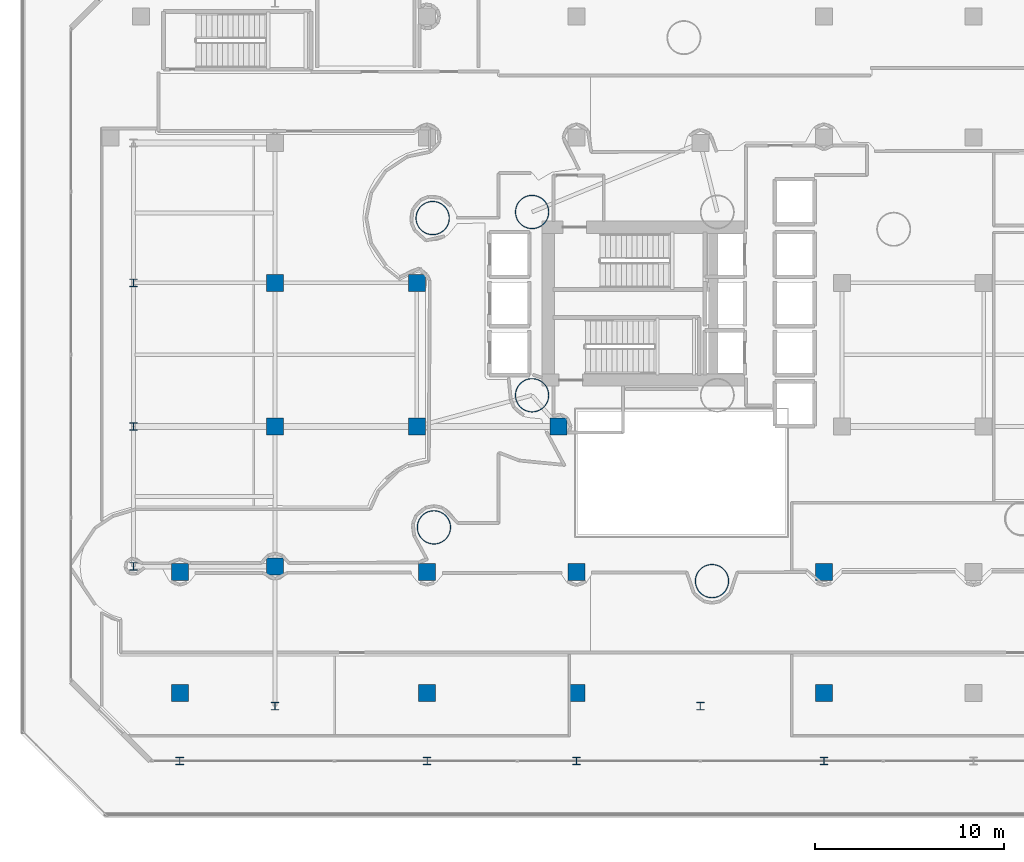
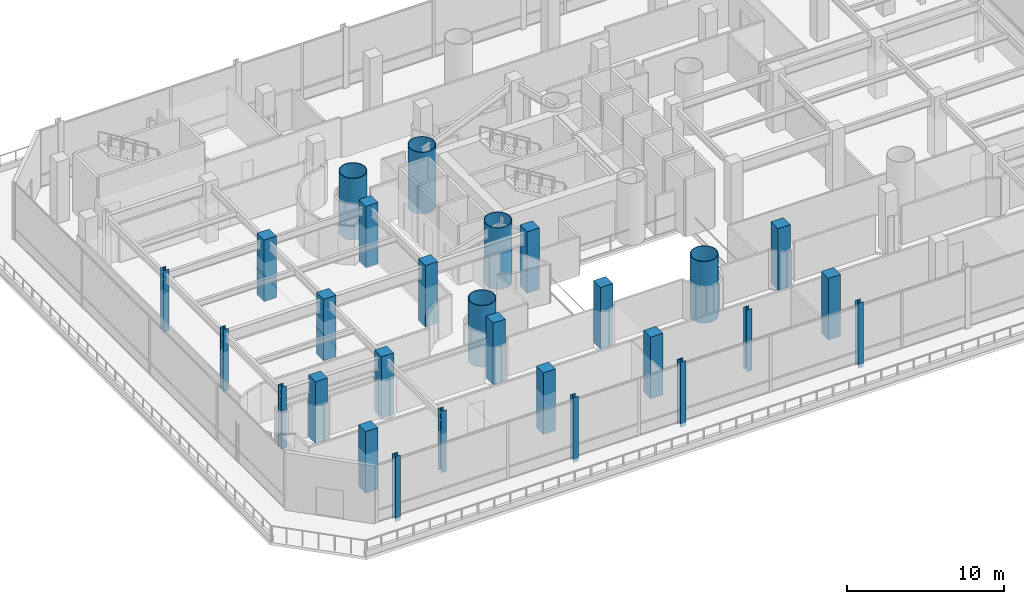
# One storey, part 1 of 39: 28 columns.
"""IFC4 building model written with IfcOpenShell, lengths in metres."""

from ifc_helpers import new_model, si_unit, direction, frame, origin, origin_2d, place, context, subcontext, project, spatial, rectangle, hollow_circle, i_section, extrude, material, material_profile, profile_set, type_object, element, save


model = new_model("IFC4")

# Units and contexts
model_context = context("Model", 3, precision=1e-05, world=origin(), true_north=direction((0.0, 1.0)))
body_context = subcontext(model_context, "Body", "Model", "MODEL_VIEW")
ifc_project = project(units=[si_unit("LENGTHUNIT", "METRE"), si_unit("AREAUNIT", "SQUARE_METRE"), si_unit("VOLUMEUNIT", "CUBIC_METRE"), si_unit("PLANEANGLEUNIT", "RADIAN"), si_unit("MASSUNIT", "GRAM", prefix="KILO")], contexts=[model_context])

# Site, building, storey
site_placement = place(None, origin())
site = spatial("IfcSite", under=ifc_project, at=site_placement, CompositionType="ELEMENT")
building_placement = place(site_placement, origin())
building = spatial("IfcBuilding", under=site, at=building_placement, Name="Qianvela Tower", CompositionType="ELEMENT")
storey_placement = place(building_placement, frame((0.0, 0.0, 15.800048828125)))
storey = spatial("IfcBuildingStorey", under=building, at=storey_placement, Name="L03", CompositionType="ELEMENT", Elevation=15.800048828125)

# Columns
ifc_material_1 = material(Name="Steel Q420GJC", Category="steel")
ifc_material_profile_1 = material_profile(ifc_material_1, hollow_circle(Radius=0.89990234375, WallThickness=0.044921875, at=origin_2d()), Name="CFT-1800x45")
ifc_profile_set_1 = profile_set([ifc_material_profile_1], Name="Steel Q420GJC")
column_type_1 = type_object("IfcColumnType", Name="COL-CFT-1800x45", PredefinedType="COLUMN", material=ifc_profile_set_1)
for number, where, z_axis, x_axis, name in (
    (1, (28.60009765625, 33.550048828125, 0.0), (0.0, 0.0, 1.0), (1.0, 0.0, 0.0), "L03 Core Corner Mega-Column CC-NW"),
    (2, (28.60009765625, 23.85009765625, 0.0), (0.0, 0.0, 1.0), (1.0, 0.0, 0.0), "L03 Core Corner Mega-Column CC-SW"),
    (3, (23.337890625, 33.22802734375, 0.0), (0.0, 0.0, 1.0), (1.0, 0.0, 0.0), "L03 Tower Base CFT Mega-Column C4"),
    (4, (23.404052734375, 16.860107421875, 0.0), (0.0, 0.0, 1.0), (1.0, 0.0, 0.0), "L03 Tower Base CFT Mega-Column C5"),
    (5, (38.1201171875, 14.01611328125, 0.0), (0.0, 0.0, 1.0), (1.0, 0.0, 0.0), "L03 Tower Base CFT Mega-Column C6"),
):
    element("IfcColumn", number, at=place(storey_placement, frame(where, z_axis=z_axis, x_axis=x_axis)), inside=storey, type_object=column_type_1, Name=name, PredefinedType="COLUMN", context=body_context, shape_type="SweptSolid", body=[
        extrude(hollow_circle(Radius=0.89990234375, WallThickness=0.044921875, at=origin_2d()), origin(), (0.0, 0.0, 1.0), 4.800048828125),
    ])
ifc_material_2 = material(Name="Steel Q355B", Category="steel")
ifc_material_profile_2 = material_profile(ifc_material_2, i_section(OverallWidth=0.39990234375, OverallDepth=0.39990234375, WebThickness=0.012939453125, FlangeThickness=0.02099609375, at=origin_2d()), Name="HW400x400x13x21")
ifc_profile_set_2 = profile_set([ifc_material_profile_2], Name="Steel Q355B")
column_type_2 = type_object("IfcColumnType", Name="COL-HW-400", PredefinedType="COLUMN", material=ifc_profile_set_2)
for number, where, z_axis, x_axis, name in (
    (6, (7.5, 14.800048828125, 0.0), (0.0, 0.0, 1.0), (1.0, 0.0, 0.0), "L03 Podium Grid Column P01"),
    (7, (7.5, 22.199951171875, 0.0), (0.0, 0.0, 1.0), (1.0, 0.0, 0.0), "L03 Podium Grid Column P02"),
    (8, (7.5, 29.800048828125, 0.0), (0.0, 0.0, 1.0), (1.0, 0.0, 0.0), "L03 Podium Grid Column P03"),
    (9, (15.0, 7.39990234375, 0.0), (0.0, 0.0, 1.0), (1.0, 0.0, 0.0), "L03 Podium Grid Column P05"),
    (10, (37.5, 7.39990234375, 0.0), (0.0, 0.0, 1.0), (1.0, 0.0, 0.0), "L03 Podium Grid Column P22"),
):
    element("IfcColumn", number, at=place(storey_placement, frame(where, z_axis=z_axis, x_axis=x_axis)), inside=storey, type_object=column_type_2, Name=name, PredefinedType="COLUMN", context=body_context, shape_type="SweptSolid", body=[
        extrude(i_section(OverallWidth=0.39990234375, OverallDepth=0.39990234375, WebThickness=0.012939453125, FlangeThickness=0.02099609375, at=origin_2d()), origin(), (0.0, 0.0, 1.0), 4.800048828125),
    ])
for number, where, z_axis, x_axis, name in (
    (11, (9.955322265625, 4.5, -0.27001953125), (0.0, 0.0, 1.0), (1.0, 0.0, 0.0), "L03 V-Column Transfer Post VC-S1-L"),
    (12, (23.044677734375, 4.5, -0.27001953125), (0.0, 0.0, 1.0), (1.0, 0.0, 0.0), "L03 V-Column Transfer Post VC-S1-R"),
    (13, (30.955322265625, 4.5, -0.27001953125), (0.0, 0.0, 1.0), (1.0, 0.0, 0.0), "L03 V-Column Transfer Post VC-S2-L"),
    (14, (44.044677734375, 4.5, -0.27001953125), (0.0, 0.0, 1.0), (1.0, 0.0, 0.0), "L03 V-Column Transfer Post VC-S2-R"),
):
    element("IfcColumn", number, at=place(storey_placement, frame(where, z_axis=z_axis, x_axis=x_axis)), inside=storey, type_object=column_type_2, Name=name, PredefinedType="COLUMN", context=body_context, shape_type="SweptSolid", body=[
        extrude(i_section(OverallWidth=0.39990234375, OverallDepth=0.39990234375, WebThickness=0.012939453125, FlangeThickness=0.02099609375, at=origin_2d()), origin(), (0.0, 0.0, 1.0), 5.070068359375),
    ])
ifc_material_3 = material(Name="Concrete C60", Category="concrete")
ifc_material_profile_3 = material_profile(ifc_material_3, rectangle(XDim=0.89990234375, YDim=0.89990234375, at=origin_2d()), Name="RC-COL-900x900")
ifc_profile_set_3 = profile_set([ifc_material_profile_3], Name="Concrete C60")
column_type_3 = type_object("IfcColumnType", Name="COL-RC-900", PredefinedType="COLUMN", material=ifc_profile_set_3)
for number, where, z_axis, x_axis, name in (
    (15, (9.955322265625, 8.10009765625, 0.0), (0.0, 0.0, 1.0), (1.0, 0.0, 0.0), "L03 Concourse Colonnade Column VC-S1-L-B1"),
    (16, (9.955322265625, 14.5, 0.0), (0.0, 0.0, 1.0), (1.0, 0.0, 0.0), "L03 Concourse Colonnade Column VC-S1-L-B2"),
    (17, (23.044677734375, 8.10009765625, 0.0), (0.0, 0.0, 1.0), (1.0, 0.0, 0.0), "L03 Concourse Colonnade Column VC-S1-R-B1"),
    (18, (23.044677734375, 14.5, 0.0), (0.0, 0.0, 1.0), (1.0, 0.0, 0.0), "L03 Concourse Colonnade Column VC-S1-R-B2"),
    (19, (30.955322265625, 8.10009765625, 0.0), (0.0, 0.0, 1.0), (1.0, 0.0, 0.0), "L03 Concourse Colonnade Column VC-S2-L-B1"),
    (20, (30.955322265625, 14.5, 0.0), (0.0, 0.0, 1.0), (1.0, 0.0, 0.0), "L03 Concourse Colonnade Column VC-S2-L-B2"),
    (21, (44.044677734375, 8.10009765625, 0.0), (0.0, 0.0, 1.0), (1.0, 0.0, 0.0), "L03 Concourse Colonnade Column VC-S2-R-B1"),
    (22, (44.044677734375, 14.5, 0.0), (0.0, 0.0, 1.0), (1.0, 0.0, 0.0), "L03 Concourse Colonnade Column VC-S2-R-B2"),
    (23, (15.0, 14.800048828125, 0.0), (0.0, 0.0, 1.0), (1.0, 0.0, 0.0), "L03 Podium Grid Column P06"),
    (24, (15.0, 22.199951171875, 0.0), (0.0, 0.0, 1.0), (1.0, 0.0, 0.0), "L03 Podium Grid Column P07"),
    (25, (15.0, 29.800048828125, 0.0), (0.0, 0.0, 1.0), (1.0, 0.0, 0.0), "L03 Podium Grid Column P08"),
    (26, (22.5, 22.199951171875, 0.0), (0.0, 0.0, 1.0), (1.0, 0.0, 0.0), "L03 Podium Grid Column P13"),
    (27, (22.5, 29.800048828125, 0.0), (0.0, 0.0, 1.0), (1.0, 0.0, 0.0), "L03 Podium Grid Column P14"),
    (28, (30.0, 22.199951171875, 0.0), (0.0, 0.0, 1.0), (1.0, 0.0, 0.0), "L03 Podium Grid Column P19"),
):
    element("IfcColumn", number, at=place(storey_placement, frame(where, z_axis=z_axis, x_axis=x_axis)), inside=storey, type_object=column_type_3, Name=name, PredefinedType="COLUMN", context=body_context, shape_type="SweptSolid", body=[
        extrude(rectangle(XDim=0.89990234375, YDim=0.89990234375, at=origin_2d()), origin(), (0.0, 0.0, 1.0), 4.800048828125),
    ])

save(model, "model.ifc")
